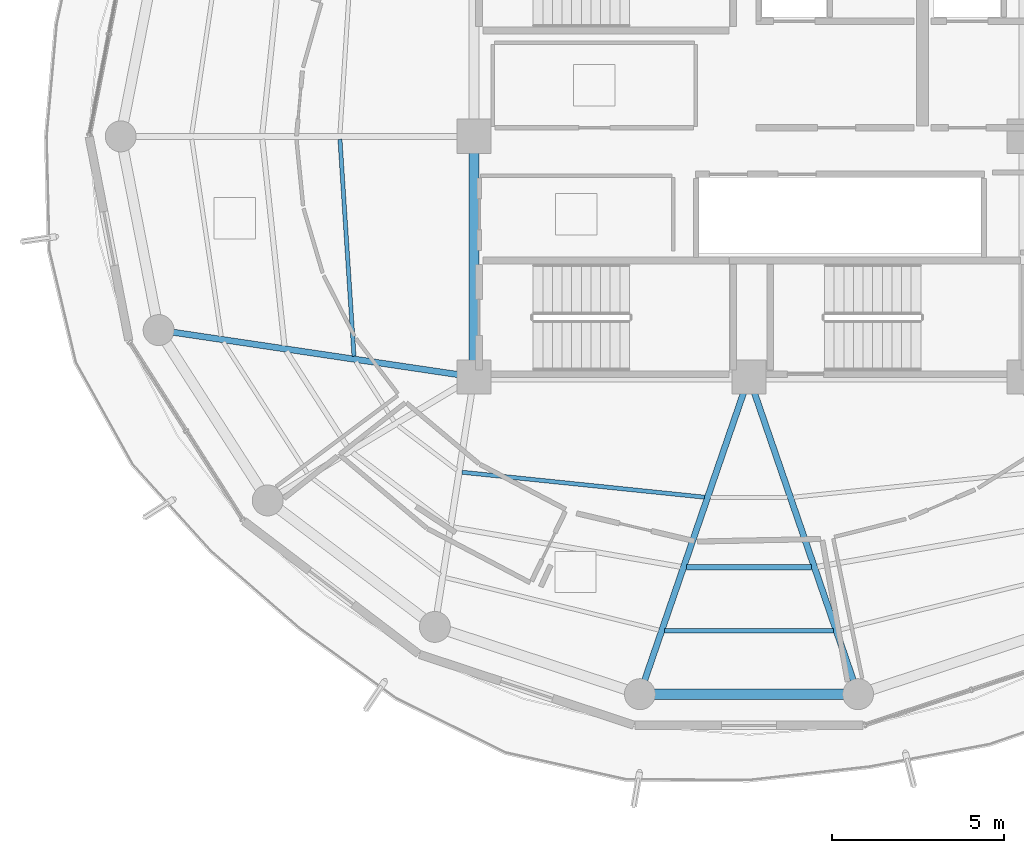
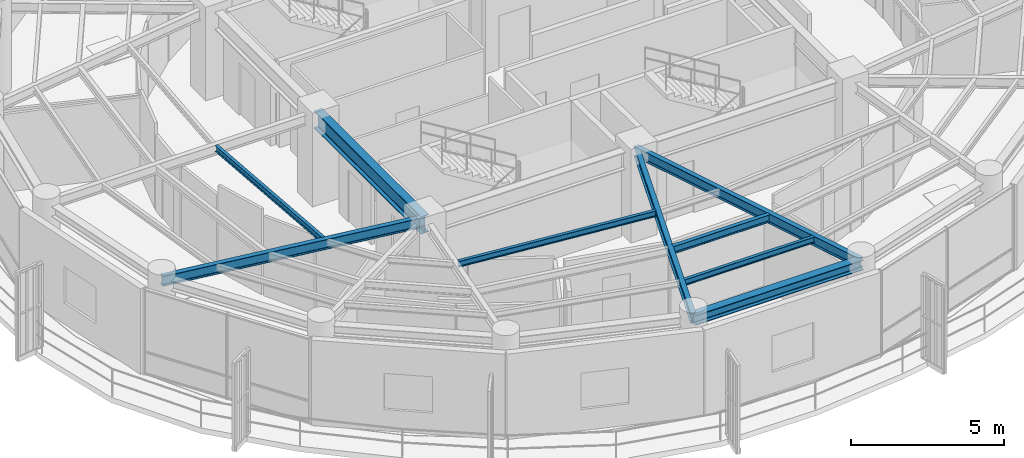
# One storey, part 4 of 23: 9 beams.
"""IFC4 building model written with IfcOpenShell, lengths in metres."""

from ifc_helpers import new_model, si_unit, direction, frame, origin, origin_2d, place, context, subcontext, project, spatial, i_section, extrude, material, material_profile, profile_set, type_object, element, save


model = new_model("IFC4")

# Units and contexts
model_context = context("Model", 3, precision=1e-05, world=origin(), true_north=direction((0.0, 1.0)))
body_context = subcontext(model_context, "Body", "Model", "MODEL_VIEW")
ifc_project = project(units=[si_unit("LENGTHUNIT", "METRE"), si_unit("AREAUNIT", "SQUARE_METRE"), si_unit("VOLUMEUNIT", "CUBIC_METRE"), si_unit("PLANEANGLEUNIT", "RADIAN"), si_unit("MASSUNIT", "GRAM", prefix="KILO")], contexts=[model_context])

# Site, building, storey
site_placement = place(None, origin())
site = spatial("IfcSite", under=ifc_project, at=site_placement, CompositionType="ELEMENT")
building_placement = place(site_placement, origin())
building = spatial("IfcBuilding", under=site, at=building_placement, Name="Kelanora Arch Commons", CompositionType="ELEMENT")
storey_placement = place(building_placement, frame((0.0, 0.0, 289.949951171875)))
storey = spatial("IfcBuildingStorey", under=building, at=storey_placement, Name="L74", CompositionType="ELEMENT", Elevation=289.949951171875)

# Beams
ifc_material = material(Name="Steel S355", Category="steel")
ifc_material_profile_1 = material_profile(ifc_material, i_section(OverallWidth=0.300048828125, OverallDepth=0.699951171875, WebThickness=0.01708984375, FlangeThickness=0.031982421875, FilletRadius=0.027099609375, at=origin_2d()), Name="HEB700")
ifc_profile_set_1 = profile_set([ifc_material_profile_1], Name="Steel S355")
beam_type_1 = type_object("IfcBeamType", Name="BM-CORE-HDR", PredefinedType="BEAM", material=ifc_profile_set_1)
beam_1_placement = place(storey_placement, frame((66.0, 58.0, 3.080078125), z_axis=(0.0, -1.0, 0.0), x_axis=(1.0, 0.0, 0.0)))
element("IfcBeam", 1, at=beam_1_placement, inside=storey, type_object=beam_type_1, Name="Core Header Beam 09 L74", PredefinedType="BEAM", context=body_context, shape_type="SweptSolid", body=[
    extrude(i_section(OverallWidth=0.300048828125, OverallDepth=0.699951171875, WebThickness=0.01708984375, FlangeThickness=0.031982421875, FilletRadius=0.027099609375, at=origin_2d()), origin(), (0.0, 0.0, 1.0), 7.0),
])
ifc_material_profile_2 = material_profile(ifc_material, i_section(OverallWidth=0.14990234375, OverallDepth=0.300048828125, WebThickness=0.007080078125, FlangeThickness=0.0107421875, FilletRadius=0.014892578125, at=origin_2d()), Name="IPE300")
ifc_profile_set_2 = profile_set([ifc_material_profile_2], Name="Steel S355")
beam_type_2 = type_object("IfcBeamType", Name="BM-JST-01", PredefinedType="JOIST", material=ifc_profile_set_2)
beam_2_placement = place(storey_placement, frame((72.180419921875, 45.462158203125, 3.280029296875), z_axis=(1.0, 0.0, 0.0), x_axis=(0.0, 1.0, 0.0)))
element("IfcBeam", 2, at=beam_2_placement, inside=storey, type_object=beam_type_2, Name="Secondary Chord Joist BJB-26 L74", PredefinedType="JOIST", context=body_context, shape_type="SweptSolid", body=[
    extrude(i_section(OverallWidth=0.14990234375, OverallDepth=0.300048828125, WebThickness=0.007080078125, FlangeThickness=0.0107421875, FilletRadius=0.014892578125, at=origin_2d()), origin(), (0.0, 0.0, 1.0), 3.63916015625),
])
ifc_material_profile_3 = material_profile(ifc_material, i_section(OverallWidth=0.1201171875, OverallDepth=0.239990234375, WebThickness=0.006103515625, FlangeThickness=0.009765625, FilletRadius=0.014892578125, at=origin_2d()), Name="IPE240")
ifc_profile_set_3 = profile_set([ifc_material_profile_3], Name="Steel S355")
beam_type_3 = type_object("IfcBeamType", Name="BM-JST-02", PredefinedType="JOIST", material=ifc_profile_set_3)
beam_3_placement = place(storey_placement, frame((62.09912109375, 57.915283203125, 3.31005859375), z_axis=(0.064495107978, -0.99791802321, 0.0), x_axis=(0.99791802321, 0.064495107978, 0.0)))
element("IfcBeam", 3, at=beam_3_placement, inside=storey, type_object=beam_type_3, Name="Secondary Chord Joist BJA-18 L74", PredefinedType="JOIST", context=body_context, shape_type="SweptSolid", body=[
    extrude(i_section(OverallWidth=0.1201171875, OverallDepth=0.239990234375, WebThickness=0.006103515625, FlangeThickness=0.009765625, FilletRadius=0.014892578125, at=origin_2d()), origin(), (0.0, 0.0, 1.0), 6.325439453125),
])
beam_4_placement = place(storey_placement, frame((65.6513671875, 48.227783203125, 3.31005859375), z_axis=(0.994746545688, -0.102368500239, 0.0), x_axis=(0.102368500239, 0.994746545688, 0.0)))
element("IfcBeam", 4, at=beam_4_placement, inside=storey, type_object=beam_type_3, Name="Secondary Chord Joist BJA-24 L74", PredefinedType="JOIST", context=body_context, shape_type="SweptSolid", body=[
    extrude(i_section(OverallWidth=0.1201171875, OverallDepth=0.239990234375, WebThickness=0.006103515625, FlangeThickness=0.009765625, FilletRadius=0.014892578125, at=origin_2d()), origin(), (0.0, 0.0, 1.0), 7.09521484375),
])
beam_5_placement = place(storey_placement, frame((71.545654296875, 43.6162109375, 3.31005859375), z_axis=(1.0, 0.0, 0.0), x_axis=(0.0, 1.0, 0.0)))
element("IfcBeam", 5, at=beam_5_placement, inside=storey, type_object=beam_type_3, Name="Secondary Chord Joist BJC-26 L74", PredefinedType="JOIST", context=body_context, shape_type="SweptSolid", body=[
    extrude(i_section(OverallWidth=0.1201171875, OverallDepth=0.239990234375, WebThickness=0.006103515625, FlangeThickness=0.009765625, FilletRadius=0.014892578125, at=origin_2d()), origin(), (0.0, 0.0, 1.0), 4.90869140625),
])
ifc_material_profile_4 = material_profile(ifc_material, i_section(OverallWidth=0.179931640625, OverallDepth=0.39990234375, WebThickness=0.008544921875, FlangeThickness=0.013427734375, FilletRadius=0.02099609375, at=origin_2d()), Name="IPE400")
ifc_profile_set_4 = profile_set([ifc_material_profile_4], Name="Steel S355")
beam_type_4 = type_object("IfcBeamType", Name="BM-RAD-Z5", PredefinedType="BEAM", material=ifc_profile_set_4)
beam_6_placement = place(storey_placement, frame((66.0, 51.0, 3.22998046875), z_axis=(-0.989142485564, 0.146959665395, 0.0), x_axis=(-0.146959665395, -0.989142485564, 0.0)))
element("IfcBeam", 6, at=beam_6_placement, inside=storey, type_object=beam_type_4, Name="Radial Floor Girder BR-20 L74", PredefinedType="BEAM", context=body_context, shape_type="SweptSolid", body=[
    extrude(i_section(OverallWidth=0.179931640625, OverallDepth=0.39990234375, WebThickness=0.008544921875, FlangeThickness=0.013427734375, FilletRadius=0.02099609375, at=origin_2d()), origin(), (0.0, 0.0, 1.0), 9.2783203125),
])
for number, where, z_axis, x_axis, name in (
    (7, (74.0, 51.0, 3.22998046875), (-0.325233562807, -0.945633718532, 0.0), (0.945633718532, -0.325233562807, 0.0), "Radial Floor Girder BR-26 L74"),
    (8, (74.0, 51.0, 3.22998046875), (0.325233562807, -0.945633718532, 0.0), (0.945633718532, 0.325233562807, 0.0), "Radial Floor Girder BR-28 L74"),
):
    element("IfcBeam", number, at=place(storey_placement, frame(where, z_axis=z_axis, x_axis=x_axis)), inside=storey, type_object=beam_type_4, Name=name, PredefinedType="BEAM", context=body_context, shape_type="SweptSolid", body=[
        extrude(i_section(OverallWidth=0.179931640625, OverallDepth=0.39990234375, WebThickness=0.008544921875, FlangeThickness=0.013427734375, FilletRadius=0.02099609375, at=origin_2d()), origin(), (0.0, 0.0, 1.0), 9.760009765625),
    ])
ifc_material_profile_5 = material_profile(ifc_material, i_section(OverallWidth=0.300048828125, OverallDepth=0.39990234375, WebThickness=0.013427734375, FlangeThickness=0.02392578125, FilletRadius=0.027099609375, at=origin_2d()), Name="HEB400")
ifc_profile_set_5 = profile_set([ifc_material_profile_5], Name="Steel S355")
beam_type_5 = type_object("IfcBeamType", Name="BM-SPN-Z4", PredefinedType="SPANDREL", material=ifc_profile_set_5)
beam_7_placement = place(storey_placement, frame((70.82568359375, 41.7705078125, 3.22998046875), z_axis=(1.0, 0.0, 0.0), x_axis=(0.0, 1.0, 0.0)))
element("IfcBeam", 9, at=beam_7_placement, inside=storey, type_object=beam_type_5, Name="Perimeter Spandrel Beam BS-26 L74", PredefinedType="SPANDREL", context=body_context, shape_type="SweptSolid", body=[
    extrude(i_section(OverallWidth=0.300048828125, OverallDepth=0.39990234375, WebThickness=0.013427734375, FlangeThickness=0.02392578125, FilletRadius=0.027099609375, at=origin_2d()), origin(), (0.0, 0.0, 1.0), 6.3486328125),
])

save(model, "model.ifc")
